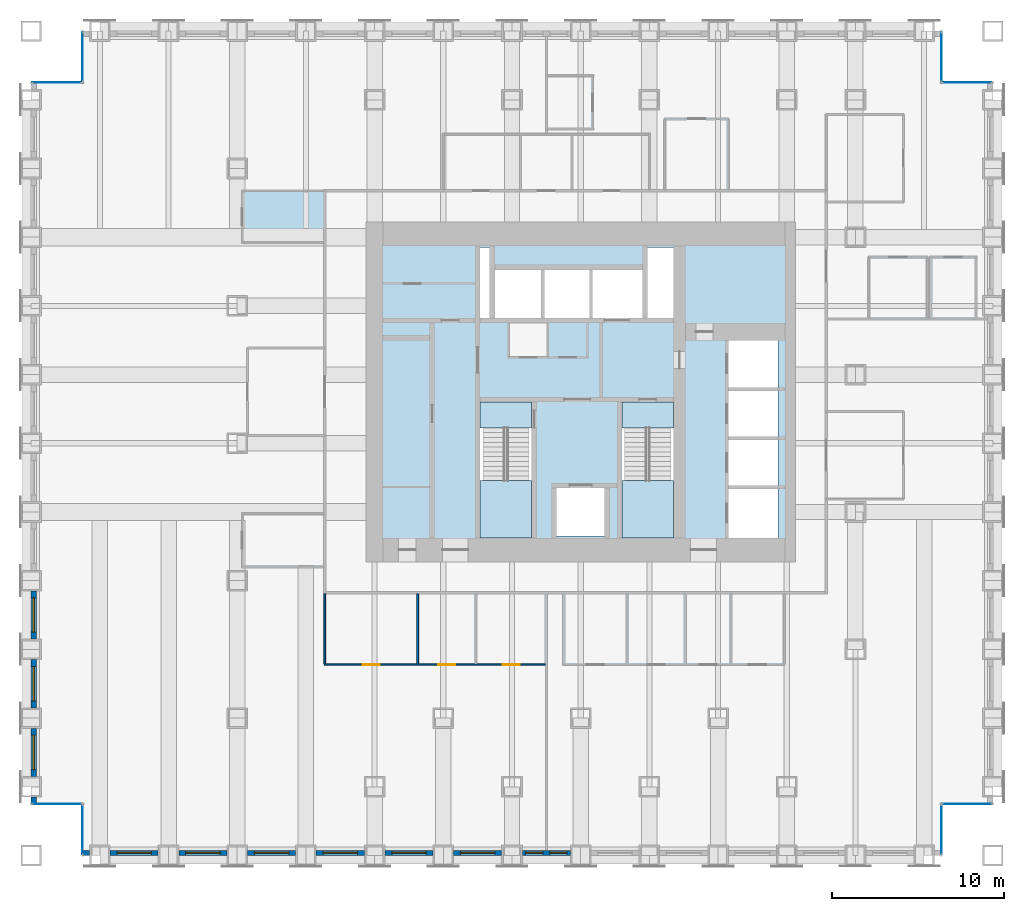
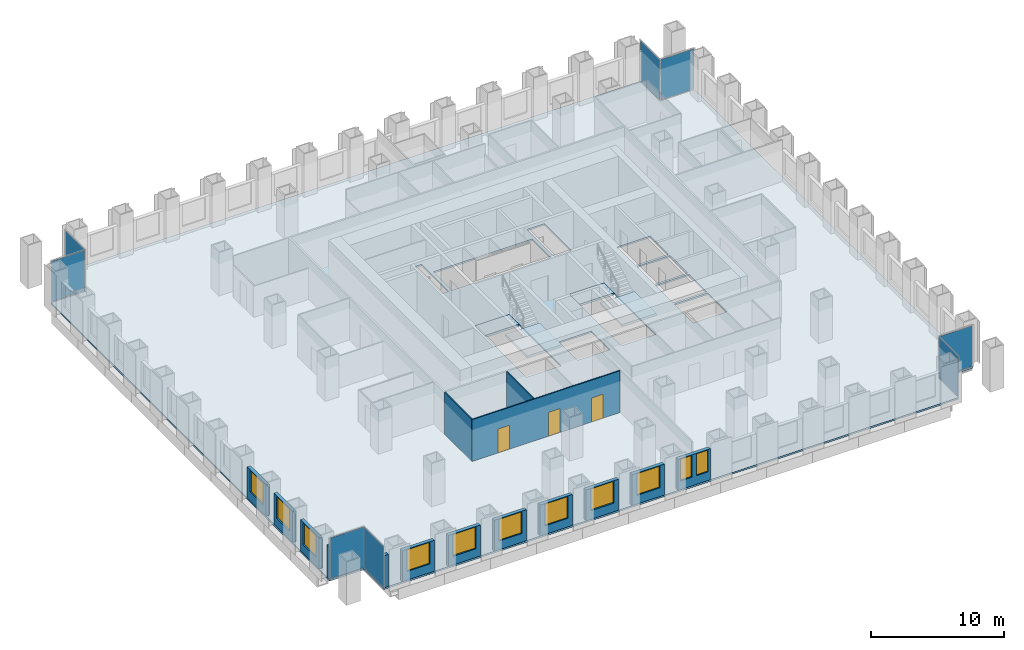
# One storey, part 7 of 14: 15 walls, 11 windows, 8 plates, 5 slabs, 3 doors, 14 openings, 10 elements without a shape of their own.
"""IFC4 building model written with IfcOpenShell, lengths in metres."""

from ifc_helpers import new_model, si_unit, direction, frame, frame_2d, origin, origin_2d, place, context, subcontext, project, spatial, polyline, rectangle, outline, extrude, material, layer, layer_set, type_object, element, fill, aggregate, save


model = new_model("IFC4")

# Units and contexts
model_context = context("Model", 3, precision=1e-05, world=origin(), true_north=direction((0.0, 1.0)))
body_context = subcontext(model_context, "Body", "Model", "MODEL_VIEW")
ifc_project = project(units=[si_unit("LENGTHUNIT", "METRE"), si_unit("AREAUNIT", "SQUARE_METRE"), si_unit("VOLUMEUNIT", "CUBIC_METRE"), si_unit("PLANEANGLEUNIT", "RADIAN"), si_unit("MASSUNIT", "GRAM", prefix="KILO")], contexts=[model_context])

# Site, building, storey
site_placement = place(None, origin())
site = spatial("IfcSite", under=ifc_project, at=site_placement, CompositionType="ELEMENT")
building_placement = place(site_placement, origin())
building = spatial("IfcBuilding", under=site, at=building_placement, Name="Rimbunsela Tower", CompositionType="ELEMENT")
storey_placement = place(building_placement, frame((0.0, 0.0, 51.0)))
storey = spatial("IfcBuildingStorey", under=building, at=storey_placement, Name="L12", CompositionType="ELEMENT", Elevation=51.0)

# Slab
ifc_material_1 = material(Name="Concrete fc' 35 MPa", Category="concrete")
ifc_layer_1 = layer(ifc_material_1, 0.14990234375)
ifc_layer_set_1 = layer_set([ifc_layer_1], Name="Floor slab 150")
slab_type_1 = type_object("IfcSlabType", Name="Floor slab 150", PredefinedType="FLOOR", material=ifc_layer_set_1)
slab_1_placement = place(storey_placement, frame((0.0, 0.0, -0.14990234375)))
element("IfcSlab", 1, at=slab_1_placement, inside=storey, type_object=slab_type_1, Name="Floor slab L12", PredefinedType="FLOOR", context=body_context, shape_type="SweptSolid", body=[
    extrude(outline(polyline([(1.0, 0.0), (51.0, 0.0), (51.0, 3.0), (54.0, 3.0), (54.0, 45.0), (51.0, 45.0), (51.0, 48.0), (1.0, 48.0), (1.0, 45.0), (-2.0, 45.0), (-2.0, 3.0), (1.0, 3.0), (1.0, 0.0)]), holes=[polyline([(27.14990234375, 18.60009765625), (27.14990234375, 26.39990234375), (24.14990234375, 26.39990234375), (24.14990234375, 18.60009765625), (27.14990234375, 18.60009765625)]), polyline([(24.699951171875, 31.300048828125), (24.699951171875, 35.39990234375), (24.14990234375, 35.39990234375), (24.14990234375, 31.300048828125), (24.699951171875, 31.300048828125)]), polyline([(25.0, 34.10009765625), (25.0, 31.300048828125), (33.60009765625, 31.300048828125), (33.60009765625, 34.10009765625), (25.0, 34.10009765625)]), polyline([(31.39990234375, 21.39990234375), (28.60009765625, 21.39990234375), (28.60009765625, 18.60009765625), (31.39990234375, 18.60009765625), (31.39990234375, 21.39990234375)]), polyline([(35.39990234375, 18.60009765625), (35.39990234375, 26.39990234375), (32.39990234375, 26.39990234375), (32.39990234375, 18.60009765625), (35.39990234375, 18.60009765625)]), polyline([(35.39990234375, 31.300048828125), (35.39990234375, 35.39990234375), (33.89990234375, 35.39990234375), (33.89990234375, 31.300048828125), (35.39990234375, 31.300048828125)]), polyline([(41.5, 21.35009765625), (38.60009765625, 21.35009765625), (38.60009765625, 18.5), (41.5, 18.5), (41.5, 21.35009765625)]), polyline([(41.5, 21.550048828125), (41.5, 24.199951171875), (38.60009765625, 24.199951171875), (38.60009765625, 21.550048828125), (41.5, 21.550048828125)]), polyline([(41.5, 27.050048828125), (38.60009765625, 27.050048828125), (38.60009765625, 24.39990234375), (41.5, 24.39990234375), (41.5, 27.050048828125)]), polyline([(41.5, 27.25), (41.5, 30.0), (38.60009765625, 30.0), (38.60009765625, 27.25), (41.5, 27.25)])]), origin(), (0.0, 0.0, 1.0), 0.14990234375),
])

# Curtain wall, plate
ifc_material_2 = material(Name="Aluminium curtain wall", Category="aluminium")
curtain_wall_type = type_object("IfcCurtainWallType", Name="Corner glazing", PredefinedType="USERDEFINED", material=ifc_material_2)
curtain_wall_1_placement = place(storey_placement, origin())
curtain_wall_1 = element("IfcCurtainWall", 2, at=curtain_wall_1_placement, inside=storey, type_object=curtain_wall_type, Name="Corner glazing L12", ObjectType="CORNER GLAZING", PredefinedType="USERDEFINED")
ifc_material_3 = material(Name="Clear double glazing", Category="glass")
ifc_layer_2 = layer(ifc_material_3, 0.028076171875)
ifc_layer_set_2 = layer_set([ifc_layer_2], Name="Glazed panel clear")
plate_type = type_object("IfcPlateType", Name="Glazed panel clear", PredefinedType="CURTAIN_PANEL", material=ifc_layer_set_2)
plate_1_placement = place(storey_placement, frame((51.0, 1.5, 0.06005859375), z_axis=(0.0, 0.0, 1.0), x_axis=(0.0, 1.0, 0.0)))
plate_1 = element("IfcPlate", 3, at=plate_1_placement, type_object=plate_type, Name="CW5 panel 1.1", PredefinedType="CURTAIN_PANEL", context=body_context, shape_type="SweptSolid", body=[
    extrude(rectangle(XDim=2.8798828125, YDim=0.028076171875, at=origin_2d()), origin(), (0.0, 0.0, 1.0), 3.72998046875),
])
aggregate(curtain_wall_1, [plate_1])

curtain_wall_2_placement = place(storey_placement, origin())
curtain_wall_2 = element("IfcCurtainWall", 4, at=curtain_wall_2_placement, inside=storey, type_object=curtain_wall_type, Name="Corner glazing L12", ObjectType="CORNER GLAZING", PredefinedType="USERDEFINED")
plate_2_placement = place(storey_placement, frame((52.5, 3.0, 0.06005859375), z_axis=(0.0, 0.0, 1.0), x_axis=(1.0, 0.0, 0.0)))
plate_2 = element("IfcPlate", 5, at=plate_2_placement, type_object=plate_type, Name="CW5 panel 1.1", PredefinedType="CURTAIN_PANEL", context=body_context, shape_type="SweptSolid", body=[
    extrude(rectangle(XDim=2.8798828125, YDim=0.028076171875, at=origin_2d()), origin(), (0.0, 0.0, 1.0), 3.72998046875),
])
aggregate(curtain_wall_2, [plate_2])

curtain_wall_3_placement = place(storey_placement, origin())
curtain_wall_3 = element("IfcCurtainWall", 6, at=curtain_wall_3_placement, inside=storey, type_object=curtain_wall_type, Name="Corner glazing L12", ObjectType="CORNER GLAZING", PredefinedType="USERDEFINED")
plate_3_placement = place(storey_placement, frame((52.5, 45.0, 0.06005859375), z_axis=(0.0, 0.0, 1.0), x_axis=(-1.0, 0.0, 0.0)))
plate_3 = element("IfcPlate", 7, at=plate_3_placement, type_object=plate_type, Name="CW5 panel 1.1", PredefinedType="CURTAIN_PANEL", context=body_context, shape_type="SweptSolid", body=[
    extrude(rectangle(XDim=2.8798828125, YDim=0.028076171875, at=origin_2d()), origin(), (0.0, 0.0, 1.0), 3.72998046875),
])
aggregate(curtain_wall_3, [plate_3])

curtain_wall_4_placement = place(storey_placement, origin())
curtain_wall_4 = element("IfcCurtainWall", 8, at=curtain_wall_4_placement, inside=storey, type_object=curtain_wall_type, Name="Corner glazing L12", ObjectType="CORNER GLAZING", PredefinedType="USERDEFINED")
plate_4_placement = place(storey_placement, frame((51.0, 46.5, 0.06005859375), z_axis=(0.0, 0.0, 1.0), x_axis=(0.0, 1.0, 0.0)))
plate_4 = element("IfcPlate", 9, at=plate_4_placement, type_object=plate_type, Name="CW5 panel 1.1", PredefinedType="CURTAIN_PANEL", context=body_context, shape_type="SweptSolid", body=[
    extrude(rectangle(XDim=2.8798828125, YDim=0.028076171875, at=origin_2d()), origin(), (0.0, 0.0, 1.0), 3.72998046875),
])
aggregate(curtain_wall_4, [plate_4])

curtain_wall_5_placement = place(storey_placement, origin())
curtain_wall_5 = element("IfcCurtainWall", 10, at=curtain_wall_5_placement, inside=storey, type_object=curtain_wall_type, Name="Corner glazing L12", ObjectType="CORNER GLAZING", PredefinedType="USERDEFINED")
plate_5_placement = place(storey_placement, frame((1.0, 46.5, 0.06005859375), z_axis=(0.0, 0.0, 1.0), x_axis=(0.0, -1.0, 0.0)))
plate_5 = element("IfcPlate", 11, at=plate_5_placement, type_object=plate_type, Name="CW5 panel 1.1", PredefinedType="CURTAIN_PANEL", context=body_context, shape_type="SweptSolid", body=[
    extrude(rectangle(XDim=2.8798828125, YDim=0.028076171875, at=origin_2d()), origin(), (0.0, 0.0, 1.0), 3.72998046875),
])
aggregate(curtain_wall_5, [plate_5])

curtain_wall_6_placement = place(storey_placement, origin())
curtain_wall_6 = element("IfcCurtainWall", 12, at=curtain_wall_6_placement, inside=storey, type_object=curtain_wall_type, Name="Corner glazing L12", ObjectType="CORNER GLAZING", PredefinedType="USERDEFINED")
plate_6_placement = place(storey_placement, frame((-0.5, 45.0, 0.06005859375), z_axis=(0.0, 0.0, 1.0), x_axis=(-1.0, 0.0, 0.0)))
plate_6 = element("IfcPlate", 13, at=plate_6_placement, type_object=plate_type, Name="CW5 panel 1.1", PredefinedType="CURTAIN_PANEL", context=body_context, shape_type="SweptSolid", body=[
    extrude(rectangle(XDim=2.8798828125, YDim=0.028076171875, at=origin_2d()), origin(), (0.0, 0.0, 1.0), 3.72998046875),
])
aggregate(curtain_wall_6, [plate_6])

curtain_wall_7_placement = place(storey_placement, origin())
curtain_wall_7 = element("IfcCurtainWall", 14, at=curtain_wall_7_placement, inside=storey, type_object=curtain_wall_type, Name="Corner glazing L12", ObjectType="CORNER GLAZING", PredefinedType="USERDEFINED")
plate_7_placement = place(storey_placement, frame((-0.5, 3.0, 0.06005859375), z_axis=(0.0, 0.0, 1.0), x_axis=(1.0, 0.0, 0.0)))
plate_7 = element("IfcPlate", 15, at=plate_7_placement, type_object=plate_type, Name="CW5 panel 1.1", PredefinedType="CURTAIN_PANEL", context=body_context, shape_type="SweptSolid", body=[
    extrude(rectangle(XDim=2.8798828125, YDim=0.028076171875, at=origin_2d()), origin(), (0.0, 0.0, 1.0), 3.72998046875),
])
aggregate(curtain_wall_7, [plate_7])

curtain_wall_8_placement = place(storey_placement, origin())
curtain_wall_8 = element("IfcCurtainWall", 16, at=curtain_wall_8_placement, inside=storey, type_object=curtain_wall_type, Name="Corner glazing L12", ObjectType="CORNER GLAZING", PredefinedType="USERDEFINED")
plate_8_placement = place(storey_placement, frame((1.0, 1.5, 0.06005859375), z_axis=(0.0, 0.0, 1.0), x_axis=(0.0, -1.0, 0.0)))
plate_8 = element("IfcPlate", 17, at=plate_8_placement, type_object=plate_type, Name="CW5 panel 1.1", PredefinedType="CURTAIN_PANEL", context=body_context, shape_type="SweptSolid", body=[
    extrude(rectangle(XDim=2.8798828125, YDim=0.028076171875, at=origin_2d()), origin(), (0.0, 0.0, 1.0), 3.72998046875),
])
aggregate(curtain_wall_8, [plate_8])

# Stair, slabs
ifc_material_4 = material(Name="Concrete fc' 35 MPa", Category="concrete")
stair_type = type_object("IfcStairType", Name="Exit stair 24 risers", PredefinedType="HALF_TURN_STAIR", material=ifc_material_4)
stair_1_placement = place(storey_placement, origin())
stair_1 = element("IfcStair", 18, at=stair_1_placement, inside=storey, type_object=stair_type, Name="Exit stair A L12", PredefinedType="HALF_TURN_STAIR")
ifc_material_5 = material(Name="Concrete fc' 35 MPa", Category="concrete")
ifc_layer_3 = layer(ifc_material_5, 0.199951171875)
ifc_layer_set_3 = layer_set([ifc_layer_3], Name="Stair landing 200")
slab_type_2 = type_object("IfcSlabType", Name="Stair landing 200", PredefinedType="LANDING", material=ifc_layer_set_3)
slab_2_placement = place(storey_placement, frame((0.0, 0.0, -0.199951171875)))
slab_2 = element("IfcSlab", 19, at=slab_2_placement, type_object=slab_type_2, Name="ST-A landing 1", PredefinedType="LANDING", context=body_context, shape_type="SweptSolid", body=[
    extrude(outline(polyline([(24.14990234375, 24.89990234375), (27.14990234375, 24.89990234375), (27.14990234375, 26.39990234375), (24.14990234375, 26.39990234375), (24.14990234375, 24.89990234375)])), origin(), (0.0, 0.0, 1.0), 0.199951171875),
])
slab_3_placement = place(storey_placement, frame((0.0, 0.0, 1.800048828125)))
slab_3 = element("IfcSlab", 20, at=slab_3_placement, type_object=slab_type_2, Name="ST-A landing 2", PredefinedType="LANDING", context=body_context, shape_type="SweptSolid", body=[
    extrude(outline(polyline([(24.14990234375, 18.5), (27.14990234375, 18.5), (27.14990234375, 21.820068359375), (24.14990234375, 21.820068359375), (24.14990234375, 18.5)])), origin(), (0.0, 0.0, 1.0), 0.199951171875),
])
aggregate(stair_1, [slab_2, slab_3])

stair_2_placement = place(storey_placement, origin())
stair_2 = element("IfcStair", 21, at=stair_2_placement, inside=storey, type_object=stair_type, Name="Exit stair B L12", PredefinedType="HALF_TURN_STAIR")
slab_4_placement = place(storey_placement, frame((0.0, 0.0, -0.199951171875)))
slab_4 = element("IfcSlab", 22, at=slab_4_placement, type_object=slab_type_2, Name="ST-B landing 1", PredefinedType="LANDING", context=body_context, shape_type="SweptSolid", body=[
    extrude(outline(polyline([(32.39990234375, 24.89990234375), (35.39990234375, 24.89990234375), (35.39990234375, 26.39990234375), (32.39990234375, 26.39990234375), (32.39990234375, 24.89990234375)])), origin(), (0.0, 0.0, 1.0), 0.199951171875),
])
slab_5_placement = place(storey_placement, frame((0.0, 0.0, 1.800048828125)))
slab_5 = element("IfcSlab", 23, at=slab_5_placement, type_object=slab_type_2, Name="ST-B landing 2", PredefinedType="LANDING", context=body_context, shape_type="SweptSolid", body=[
    extrude(outline(polyline([(32.39990234375, 18.5), (35.39990234375, 18.5), (35.39990234375, 21.820068359375), (32.39990234375, 21.820068359375), (32.39990234375, 18.5)])), origin(), (0.0, 0.0, 1.0), 0.199951171875),
])
aggregate(stair_2, [slab_4, slab_5])

# Wall, openings, doors
ifc_material_6 = material(Name="Gypsum board on steel studs", Category="steel")
ifc_layer_4 = layer(ifc_material_6, 0.10009765625)
ifc_layer_set_4 = layer_set([ifc_layer_4], Name="Office partition 100")
wall_type_1 = type_object("IfcWallType", Name="Office partition 100", PredefinedType="PARTITIONING", material=ifc_layer_set_4)
wall_1_placement = place(storey_placement, frame((15.050048828125, 11.10009765625, 0.0), z_axis=(0.0, 0.0, 1.0), x_axis=(1.0, 0.0, 0.0)))
wall_1 = element("IfcWall", 24, at=wall_1_placement, inside=storey, type_object=wall_type_1, Name="Office partition", PredefinedType="PARTITIONING", context=body_context, shape_type="SweptSolid", body=[
    extrude(rectangle(XDim=12.888916015625, YDim=0.10009765625, at=frame_2d((6.4443359375, 0.0))), origin(), (0.0, 0.0, 1.0), 3.85009765625),
])
opening_1_placement = place(wall_1_placement, frame((2.25, 0.0, 0.0)))
opening_1 = element("IfcOpeningElement", 25, at=opening_1_placement, cuts=wall_1, Name="Opening D17", PredefinedType="OPENING", context=body_context, shape_type="SweptSolid", body=[
    extrude(rectangle(XDim=1.0, YDim=2.199951171875, at=frame_2d((0.5, 1.10009765625))), frame((0.0, 0.06005859375, 0.0), z_axis=(0.0, -1.0, 0.0), x_axis=(1.0, 0.0, 0.0)), (0.0, 0.0, 1.0), 0.1201171875),
])
opening_2_placement = place(wall_1_placement, frame((6.64990234375, 0.0, 0.0)))
opening_2 = element("IfcOpeningElement", 26, at=opening_2_placement, cuts=wall_1, Name="Opening D16", PredefinedType="OPENING", context=body_context, shape_type="SweptSolid", body=[
    extrude(rectangle(XDim=1.0, YDim=2.199951171875, at=frame_2d((0.5, 1.10009765625))), frame((0.0, 0.06005859375, 0.0), z_axis=(0.0, -1.0, 0.0), x_axis=(1.0, 0.0, 0.0)), (0.0, 0.0, 1.0), 0.1201171875),
])
opening_3_placement = place(wall_1_placement, frame((10.3994140625, 0.0, 0.0)))
opening_3 = element("IfcOpeningElement", 27, at=opening_3_placement, cuts=wall_1, Name="Opening D16", PredefinedType="OPENING", context=body_context, shape_type="SweptSolid", body=[
    extrude(rectangle(XDim=1.0, YDim=2.199951171875, at=frame_2d((0.5, 1.10009765625))), frame((0.0, 0.06005859375, 0.0), z_axis=(0.0, -1.0, 0.0), x_axis=(1.0, 0.0, 0.0)), (0.0, 0.0, 1.0), 0.1201171875),
])
ifc_material_7 = material(Name="Glazed aluminium door", Category="aluminium")
door_type_1 = type_object("IfcDoorType", Name="Meeting room door 1000 glazed", OperationType="SINGLE_SWING_RIGHT", PredefinedType="DOOR", material=ifc_material_7)
door_1_placement = place(opening_1_placement, origin())
door_1 = element("IfcDoor", 28, at=door_1_placement, inside=storey, type_object=door_type_1, Name="Meeting room door", OperationType="SINGLE_SWING_RIGHT", OverallHeight=2.199951171875, OverallWidth=1.0, PredefinedType="DOOR", context=body_context, shape_type="SweptSolid", body=[
    extrude(rectangle(XDim=1.0, YDim=2.199951171875, at=frame_2d((0.5, 1.10009765625))), frame((0.0, 0.02490234375, 0.0), z_axis=(0.0, -1.0, 0.0), x_axis=(1.0, 0.0, 0.0)), (0.0, 0.0, 1.0), 0.050048828125),
])
fill(opening_1, door_1)
ifc_material_8 = material(Name="Timber door", Category="wood")
door_type_2 = type_object("IfcDoorType", Name="Office door 1000", OperationType="SINGLE_SWING_LEFT", PredefinedType="DOOR", material=ifc_material_8)
door_2_placement = place(opening_2_placement, origin())
door_2 = element("IfcDoor", 29, at=door_2_placement, inside=storey, type_object=door_type_2, Name="Office door", OperationType="SINGLE_SWING_LEFT", OverallHeight=2.199951171875, OverallWidth=1.0, PredefinedType="DOOR", context=body_context, shape_type="SweptSolid", body=[
    extrude(rectangle(XDim=1.0, YDim=2.199951171875, at=frame_2d((0.5, 1.10009765625))), frame((0.0, 0.02490234375, 0.0), z_axis=(0.0, -1.0, 0.0), x_axis=(1.0, 0.0, 0.0)), (0.0, 0.0, 1.0), 0.050048828125),
])
fill(opening_2, door_2)
door_3_placement = place(opening_3_placement, origin())
door_3 = element("IfcDoor", 30, at=door_3_placement, inside=storey, type_object=door_type_2, Name="Office door", OperationType="SINGLE_SWING_LEFT", OverallHeight=2.199951171875, OverallWidth=1.0, PredefinedType="DOOR", context=body_context, shape_type="SweptSolid", body=[
    extrude(rectangle(XDim=1.0, YDim=2.199951171875, at=frame_2d((0.5, 1.10009765625))), frame((0.0, 0.02490234375, 0.0), z_axis=(0.0, -1.0, 0.0), x_axis=(1.0, 0.0, 0.0)), (0.0, 0.0, 1.0), 0.050048828125),
])
fill(opening_3, door_3)

# Walls
for number, where, z_axis, x_axis, name in (
    (31, (15.10009765625, 11.14990234375, 0.0), (0.0, 0.0, 1.0), (0.0, 1.0, 0.0), "Office partition"),
    (32, (20.5, 11.14990234375, 0.0), (0.0, 0.0, 1.0), (0.0, 1.0, 0.0), "Office partition"),
):
    element("IfcWall", number, at=place(storey_placement, frame(where, z_axis=z_axis, x_axis=x_axis)), inside=storey, type_object=wall_type_1, Name=name, PredefinedType="PARTITIONING", context=body_context, shape_type="SweptSolid", body=[
        extrude(rectangle(XDim=4.0751953125, YDim=0.10009765625, at=frame_2d((2.03759765625, 0.0))), origin(), (0.0, 0.0, 1.0), 3.85009765625),
    ])
ifc_material_9 = material(Name="Precast concrete fc' 35 MPa", Category="concrete")
ifc_layer_5 = layer(ifc_material_9, 0.300048828125)
ifc_layer_set_5 = layer_set([ifc_layer_5], Name="Precast concrete fc' 35 MPa")
wall_type_2 = type_object("IfcWallType", Name="Precast facade panel 300", PredefinedType="ELEMENTEDWALL", material=ifc_layer_set_5)
wall_2_placement = place(storey_placement, frame((1.030029296875, 0.14990234375, 0.0), z_axis=(0.0, 0.0, 1.0), x_axis=(1.0, 0.0, 0.0)))
element("IfcWall", 33, at=wall_2_placement, inside=storey, type_object=wall_type_2, Name="Facade panel S L12", PredefinedType="ELEMENTEDWALL", context=body_context, shape_type="SweptSolid", body=[
    extrude(rectangle(XDim=0.369873046875, YDim=0.300048828125, at=frame_2d((0.18505859375, 0.0))), origin(), (0.0, 0.0, 1.0), 2.949951171875),
])

# Wall, opening, window
wall_3_placement = place(storey_placement, frame((2.60009765625, 0.14990234375, 0.0), z_axis=(0.0, 0.0, 1.0), x_axis=(1.0, 0.0, 0.0)))
wall_3 = element("IfcWall", 34, at=wall_3_placement, inside=storey, type_object=wall_type_2, Name="Facade panel S L12", PredefinedType="ELEMENTEDWALL", context=body_context, shape_type="SweptSolid", body=[
    extrude(rectangle(XDim=2.7998046875, YDim=0.300048828125, at=frame_2d((1.39990234375, 0.0))), origin(), (0.0, 0.0, 1.0), 2.85009765625),
])
opening_4_placement = place(wall_3_placement, frame((0.39990234375, 0.0, 0.800048828125)))
opening_4 = element("IfcOpeningElement", 35, at=opening_4_placement, cuts=wall_3, Name="Opening W1", PredefinedType="OPENING", context=body_context, shape_type="SweptSolid", body=[
    extrude(rectangle(XDim=2.0, YDim=2.0, at=frame_2d((1.0, 1.0))), frame((0.0, 0.159912109375, 0.0), z_axis=(0.0, -1.0, 0.0), x_axis=(1.0, 0.0, 0.0)), (0.0, 0.0, 1.0), 0.320068359375),
])
ifc_material_10 = material(Name="Clear glass in aluminium frame", Category="aluminium")
window_type_1 = type_object("IfcWindowType", Name="Window W1 2000x2000", PartitioningType="DOUBLE_PANEL_VERTICAL", PredefinedType="WINDOW", material=ifc_material_10)
window_1_placement = place(opening_4_placement, origin())
window_1 = element("IfcWindow", 36, at=window_1_placement, inside=storey, type_object=window_type_1, Name="Window L12", OverallHeight=2.0, OverallWidth=2.0, PartitioningType="SINGLE_PANEL", PredefinedType="WINDOW", context=body_context, shape_type="SweptSolid", body=[
    extrude(rectangle(XDim=2.0, YDim=2.0, at=frame_2d((1.0, 1.0))), frame((0.0, 0.030029296875, 0.0), z_axis=(0.0, -1.0, 0.0), x_axis=(1.0, 0.0, 0.0)), (0.0, 0.0, 1.0), 0.06005859375),
])
fill(opening_4, window_1)

wall_4_placement = place(storey_placement, frame((6.60009765625, 0.14990234375, 0.0), z_axis=(0.0, 0.0, 1.0), x_axis=(1.0, 0.0, 0.0)))
wall_4 = element("IfcWall", 37, at=wall_4_placement, inside=storey, type_object=wall_type_2, Name="Facade panel S L12", PredefinedType="ELEMENTEDWALL", context=body_context, shape_type="SweptSolid", body=[
    extrude(rectangle(XDim=2.7998046875, YDim=0.300048828125, at=frame_2d((1.39990234375, 0.0))), origin(), (0.0, 0.0, 1.0), 2.85009765625),
])
opening_5_placement = place(wall_4_placement, frame((0.39990234375, 0.0, 0.800048828125)))
opening_5 = element("IfcOpeningElement", 38, at=opening_5_placement, cuts=wall_4, Name="Opening W1", PredefinedType="OPENING", context=body_context, shape_type="SweptSolid", body=[
    extrude(rectangle(XDim=2.0, YDim=2.0, at=frame_2d((1.0, 1.0))), frame((0.0, 0.159912109375, 0.0), z_axis=(0.0, -1.0, 0.0), x_axis=(1.0, 0.0, 0.0)), (0.0, 0.0, 1.0), 0.320068359375),
])
window_2_placement = place(opening_5_placement, origin())
window_2 = element("IfcWindow", 39, at=window_2_placement, inside=storey, type_object=window_type_1, Name="Window L12", OverallHeight=2.0, OverallWidth=2.0, PartitioningType="SINGLE_PANEL", PredefinedType="WINDOW", context=body_context, shape_type="SweptSolid", body=[
    extrude(rectangle(XDim=2.0, YDim=2.0, at=frame_2d((1.0, 1.0))), frame((0.0, 0.030029296875, 0.0), z_axis=(0.0, -1.0, 0.0), x_axis=(1.0, 0.0, 0.0)), (0.0, 0.0, 1.0), 0.06005859375),
])
fill(opening_5, window_2)

wall_5_placement = place(storey_placement, frame((10.60009765625, 0.14990234375, 0.0), z_axis=(0.0, 0.0, 1.0), x_axis=(1.0, 0.0, 0.0)))
wall_5 = element("IfcWall", 40, at=wall_5_placement, inside=storey, type_object=wall_type_2, Name="Facade panel S L12", PredefinedType="ELEMENTEDWALL", context=body_context, shape_type="SweptSolid", body=[
    extrude(rectangle(XDim=2.7998046875, YDim=0.300048828125, at=frame_2d((1.39990234375, 0.0))), origin(), (0.0, 0.0, 1.0), 2.85009765625),
])
opening_6_placement = place(wall_5_placement, frame((0.39990234375, 0.0, 0.800048828125)))
opening_6 = element("IfcOpeningElement", 41, at=opening_6_placement, cuts=wall_5, Name="Opening W1", PredefinedType="OPENING", context=body_context, shape_type="SweptSolid", body=[
    extrude(rectangle(XDim=2.0, YDim=2.0, at=frame_2d((1.0, 1.0))), frame((0.0, 0.159912109375, 0.0), z_axis=(0.0, -1.0, 0.0), x_axis=(1.0, 0.0, 0.0)), (0.0, 0.0, 1.0), 0.320068359375),
])
window_3_placement = place(opening_6_placement, origin())
window_3 = element("IfcWindow", 42, at=window_3_placement, inside=storey, type_object=window_type_1, Name="Window L12", OverallHeight=2.0, OverallWidth=2.0, PartitioningType="SINGLE_PANEL", PredefinedType="WINDOW", context=body_context, shape_type="SweptSolid", body=[
    extrude(rectangle(XDim=2.0, YDim=2.0, at=frame_2d((1.0, 1.0))), frame((0.0, 0.030029296875, 0.0), z_axis=(0.0, -1.0, 0.0), x_axis=(1.0, 0.0, 0.0)), (0.0, 0.0, 1.0), 0.06005859375),
])
fill(opening_6, window_3)

wall_6_placement = place(storey_placement, frame((14.60009765625, 0.14990234375, 0.0), z_axis=(0.0, 0.0, 1.0), x_axis=(1.0, 0.0, 0.0)))
wall_6 = element("IfcWall", 43, at=wall_6_placement, inside=storey, type_object=wall_type_2, Name="Facade panel S L12", PredefinedType="ELEMENTEDWALL", context=body_context, shape_type="SweptSolid", body=[
    extrude(rectangle(XDim=2.7998046875, YDim=0.300048828125, at=frame_2d((1.39990234375, 0.0))), origin(), (0.0, 0.0, 1.0), 2.85009765625),
])
opening_7_placement = place(wall_6_placement, frame((0.39990234375, 0.0, 0.800048828125)))
opening_7 = element("IfcOpeningElement", 44, at=opening_7_placement, cuts=wall_6, Name="Opening W1", PredefinedType="OPENING", context=body_context, shape_type="SweptSolid", body=[
    extrude(rectangle(XDim=2.0, YDim=2.0, at=frame_2d((1.0, 1.0))), frame((0.0, 0.159912109375, 0.0), z_axis=(0.0, -1.0, 0.0), x_axis=(1.0, 0.0, 0.0)), (0.0, 0.0, 1.0), 0.320068359375),
])
window_4_placement = place(opening_7_placement, origin())
window_4 = element("IfcWindow", 45, at=window_4_placement, inside=storey, type_object=window_type_1, Name="Window L12", OverallHeight=2.0, OverallWidth=2.0, PartitioningType="SINGLE_PANEL", PredefinedType="WINDOW", context=body_context, shape_type="SweptSolid", body=[
    extrude(rectangle(XDim=2.0, YDim=2.0, at=frame_2d((1.0, 1.0))), frame((0.0, 0.030029296875, 0.0), z_axis=(0.0, -1.0, 0.0), x_axis=(1.0, 0.0, 0.0)), (0.0, 0.0, 1.0), 0.06005859375),
])
fill(opening_7, window_4)

wall_7_placement = place(storey_placement, frame((18.60009765625, 0.14990234375, 0.0), z_axis=(0.0, 0.0, 1.0), x_axis=(1.0, 0.0, 0.0)))
wall_7 = element("IfcWall", 46, at=wall_7_placement, inside=storey, type_object=wall_type_2, Name="Facade panel S L12", PredefinedType="ELEMENTEDWALL", context=body_context, shape_type="SweptSolid", body=[
    extrude(rectangle(XDim=2.7998046875, YDim=0.300048828125, at=frame_2d((1.39990234375, 0.0))), origin(), (0.0, 0.0, 1.0), 2.85009765625),
])
opening_8_placement = place(wall_7_placement, frame((0.39990234375, 0.0, 0.800048828125)))
opening_8 = element("IfcOpeningElement", 47, at=opening_8_placement, cuts=wall_7, Name="Opening W1", PredefinedType="OPENING", context=body_context, shape_type="SweptSolid", body=[
    extrude(rectangle(XDim=2.0, YDim=2.0, at=frame_2d((1.0, 1.0))), frame((0.0, 0.159912109375, 0.0), z_axis=(0.0, -1.0, 0.0), x_axis=(1.0, 0.0, 0.0)), (0.0, 0.0, 1.0), 0.320068359375),
])
window_5_placement = place(opening_8_placement, origin())
window_5 = element("IfcWindow", 48, at=window_5_placement, inside=storey, type_object=window_type_1, Name="Window L12", OverallHeight=2.0, OverallWidth=2.0, PartitioningType="SINGLE_PANEL", PredefinedType="WINDOW", context=body_context, shape_type="SweptSolid", body=[
    extrude(rectangle(XDim=2.0, YDim=2.0, at=frame_2d((1.0, 1.0))), frame((0.0, 0.030029296875, 0.0), z_axis=(0.0, -1.0, 0.0), x_axis=(1.0, 0.0, 0.0)), (0.0, 0.0, 1.0), 0.06005859375),
])
fill(opening_8, window_5)

wall_8_placement = place(storey_placement, frame((22.60009765625, 0.14990234375, 0.0), z_axis=(0.0, 0.0, 1.0), x_axis=(1.0, 0.0, 0.0)))
wall_8 = element("IfcWall", 49, at=wall_8_placement, inside=storey, type_object=wall_type_2, Name="Facade panel S L12", PredefinedType="ELEMENTEDWALL", context=body_context, shape_type="SweptSolid", body=[
    extrude(rectangle(XDim=2.7998046875, YDim=0.300048828125, at=frame_2d((1.39990234375, 0.0))), origin(), (0.0, 0.0, 1.0), 2.85009765625),
])
opening_9_placement = place(wall_8_placement, frame((0.39990234375, 0.0, 0.800048828125)))
opening_9 = element("IfcOpeningElement", 50, at=opening_9_placement, cuts=wall_8, Name="Opening W1", PredefinedType="OPENING", context=body_context, shape_type="SweptSolid", body=[
    extrude(rectangle(XDim=2.0, YDim=2.0, at=frame_2d((1.0, 1.0))), frame((0.0, 0.159912109375, 0.0), z_axis=(0.0, -1.0, 0.0), x_axis=(1.0, 0.0, 0.0)), (0.0, 0.0, 1.0), 0.320068359375),
])
window_6_placement = place(opening_9_placement, origin())
window_6 = element("IfcWindow", 51, at=window_6_placement, inside=storey, type_object=window_type_1, Name="Window L12", OverallHeight=2.0, OverallWidth=2.0, PartitioningType="SINGLE_PANEL", PredefinedType="WINDOW", context=body_context, shape_type="SweptSolid", body=[
    extrude(rectangle(XDim=2.0, YDim=2.0, at=frame_2d((1.0, 1.0))), frame((0.0, 0.030029296875, 0.0), z_axis=(0.0, -1.0, 0.0), x_axis=(1.0, 0.0, 0.0)), (0.0, 0.0, 1.0), 0.06005859375),
])
fill(opening_9, window_6)

# Wall, openings, windows
wall_9_placement = place(storey_placement, frame((26.60009765625, 0.14990234375, 0.0), z_axis=(0.0, 0.0, 1.0), x_axis=(1.0, 0.0, 0.0)))
wall_9 = element("IfcWall", 52, at=wall_9_placement, inside=storey, type_object=wall_type_2, Name="Facade panel S L12", PredefinedType="ELEMENTEDWALL", context=body_context, shape_type="SweptSolid", body=[
    extrude(rectangle(XDim=2.7998046875, YDim=0.300048828125, at=frame_2d((1.39990234375, 0.0))), origin(), (0.0, 0.0, 1.0), 2.85009765625),
])
opening_10_placement = place(wall_9_placement, frame((0.199951171875, 0.0, 0.800048828125)))
opening_10 = element("IfcOpeningElement", 53, at=opening_10_placement, cuts=wall_9, Name="Opening W5", PredefinedType="OPENING", context=body_context, shape_type="SweptSolid", body=[
    extrude(rectangle(XDim=1.0, YDim=2.0, at=frame_2d((0.5, 1.0))), frame((0.0, 0.159912109375, 0.0), z_axis=(0.0, -1.0, 0.0), x_axis=(1.0, 0.0, 0.0)), (0.0, 0.0, 1.0), 0.320068359375),
])
opening_11_placement = place(wall_9_placement, frame((1.60009765625, 0.0, 0.800048828125)))
opening_11 = element("IfcOpeningElement", 54, at=opening_11_placement, cuts=wall_9, Name="Opening W5", PredefinedType="OPENING", context=body_context, shape_type="SweptSolid", body=[
    extrude(rectangle(XDim=1.0, YDim=2.0, at=frame_2d((0.5, 1.0))), frame((0.0, 0.159912109375, 0.0), z_axis=(0.0, -1.0, 0.0), x_axis=(1.0, 0.0, 0.0)), (0.0, 0.0, 1.0), 0.320068359375),
])
ifc_material_11 = material(Name="Clear glass in aluminium frame", Category="aluminium")
window_type_2 = type_object("IfcWindowType", Name="Window W5 1000x2000", PartitioningType="SINGLE_PANEL", PredefinedType="WINDOW", material=ifc_material_11)
window_7_placement = place(opening_10_placement, origin())
window_7 = element("IfcWindow", 55, at=window_7_placement, inside=storey, type_object=window_type_2, Name="Window L12", OverallHeight=2.0, OverallWidth=1.0, PartitioningType="SINGLE_PANEL", PredefinedType="WINDOW", context=body_context, shape_type="SweptSolid", body=[
    extrude(rectangle(XDim=1.0, YDim=2.0, at=frame_2d((0.5, 1.0))), frame((0.0, 0.030029296875, 0.0), z_axis=(0.0, -1.0, 0.0), x_axis=(1.0, 0.0, 0.0)), (0.0, 0.0, 1.0), 0.06005859375),
])
fill(opening_10, window_7)
window_8_placement = place(opening_11_placement, origin())
window_8 = element("IfcWindow", 56, at=window_8_placement, inside=storey, type_object=window_type_2, Name="Window L12", OverallHeight=2.0, OverallWidth=1.0, PartitioningType="SINGLE_PANEL", PredefinedType="WINDOW", context=body_context, shape_type="SweptSolid", body=[
    extrude(rectangle(XDim=1.0, YDim=2.0, at=frame_2d((0.5, 1.0))), frame((0.0, 0.030029296875, 0.0), z_axis=(0.0, -1.0, 0.0), x_axis=(1.0, 0.0, 0.0)), (0.0, 0.0, 1.0), 0.06005859375),
])
fill(opening_11, window_8)

# Wall
wall_10_placement = place(storey_placement, frame((-1.85009765625, 3.39990234375, 0.0), z_axis=(0.0, 0.0, 1.0), x_axis=(0.0, -1.0, 0.0)))
element("IfcWall", 57, at=wall_10_placement, inside=storey, type_object=wall_type_2, Name="Facade panel W L12", PredefinedType="ELEMENTEDWALL", context=body_context, shape_type="SweptSolid", body=[
    extrude(rectangle(XDim=0.369873046875, YDim=0.300048828125, at=frame_2d((0.18505859375, 0.0))), origin(), (0.0, 0.0, 1.0), 2.949951171875),
])

# Wall, opening, window
wall_11_placement = place(storey_placement, frame((-1.85009765625, 7.39990234375, 0.0), z_axis=(0.0, 0.0, 1.0), x_axis=(0.0, -1.0, 0.0)))
wall_11 = element("IfcWall", 58, at=wall_11_placement, inside=storey, type_object=wall_type_2, Name="Facade panel W L12", PredefinedType="ELEMENTEDWALL", context=body_context, shape_type="SweptSolid", body=[
    extrude(rectangle(XDim=2.7998046875, YDim=0.300048828125, at=frame_2d((1.39990234375, 0.0))), origin(), (0.0, 0.0, 1.0), 2.85009765625),
])
opening_12_placement = place(wall_11_placement, frame((0.39990234375, 0.0, 0.800048828125)))
opening_12 = element("IfcOpeningElement", 59, at=opening_12_placement, cuts=wall_11, Name="Opening W1", PredefinedType="OPENING", context=body_context, shape_type="SweptSolid", body=[
    extrude(rectangle(XDim=2.0, YDim=2.0, at=frame_2d((1.0, 1.0))), frame((0.0, 0.159912109375, 0.0), z_axis=(0.0, -1.0, 0.0), x_axis=(1.0, 0.0, 0.0)), (0.0, 0.0, 1.0), 0.320068359375),
])
window_9_placement = place(opening_12_placement, origin())
window_9 = element("IfcWindow", 60, at=window_9_placement, inside=storey, type_object=window_type_1, Name="Window L12", OverallHeight=2.0, OverallWidth=2.0, PartitioningType="SINGLE_PANEL", PredefinedType="WINDOW", context=body_context, shape_type="SweptSolid", body=[
    extrude(rectangle(XDim=2.0, YDim=2.0, at=frame_2d((1.0, 1.0))), frame((0.0, 0.030029296875, 0.0), z_axis=(0.0, -1.0, 0.0), x_axis=(1.0, 0.0, 0.0)), (0.0, 0.0, 1.0), 0.06005859375),
])
fill(opening_12, window_9)

wall_12_placement = place(storey_placement, frame((-1.85009765625, 11.39990234375, 0.0), z_axis=(0.0, 0.0, 1.0), x_axis=(0.0, -1.0, 0.0)))
wall_12 = element("IfcWall", 61, at=wall_12_placement, inside=storey, type_object=wall_type_2, Name="Facade panel W L12", PredefinedType="ELEMENTEDWALL", context=body_context, shape_type="SweptSolid", body=[
    extrude(rectangle(XDim=2.7998046875, YDim=0.300048828125, at=frame_2d((1.39990234375, 0.0))), origin(), (0.0, 0.0, 1.0), 2.85009765625),
])
opening_13_placement = place(wall_12_placement, frame((0.39990234375, 0.0, 0.800048828125)))
opening_13 = element("IfcOpeningElement", 62, at=opening_13_placement, cuts=wall_12, Name="Opening W1", PredefinedType="OPENING", context=body_context, shape_type="SweptSolid", body=[
    extrude(rectangle(XDim=2.0, YDim=2.0, at=frame_2d((1.0, 1.0))), frame((0.0, 0.159912109375, 0.0), z_axis=(0.0, -1.0, 0.0), x_axis=(1.0, 0.0, 0.0)), (0.0, 0.0, 1.0), 0.320068359375),
])
window_10_placement = place(opening_13_placement, origin())
window_10 = element("IfcWindow", 63, at=window_10_placement, inside=storey, type_object=window_type_1, Name="Window L12", OverallHeight=2.0, OverallWidth=2.0, PartitioningType="SINGLE_PANEL", PredefinedType="WINDOW", context=body_context, shape_type="SweptSolid", body=[
    extrude(rectangle(XDim=2.0, YDim=2.0, at=frame_2d((1.0, 1.0))), frame((0.0, 0.030029296875, 0.0), z_axis=(0.0, -1.0, 0.0), x_axis=(1.0, 0.0, 0.0)), (0.0, 0.0, 1.0), 0.06005859375),
])
fill(opening_13, window_10)

wall_13_placement = place(storey_placement, frame((-1.85009765625, 15.39990234375, 0.0), z_axis=(0.0, 0.0, 1.0), x_axis=(0.0, -1.0, 0.0)))
wall_13 = element("IfcWall", 64, at=wall_13_placement, inside=storey, type_object=wall_type_2, Name="Facade panel W L12", PredefinedType="ELEMENTEDWALL", context=body_context, shape_type="SweptSolid", body=[
    extrude(rectangle(XDim=2.7998046875, YDim=0.300048828125, at=frame_2d((1.39990234375, 0.0))), origin(), (0.0, 0.0, 1.0), 2.85009765625),
])
opening_14_placement = place(wall_13_placement, frame((0.39990234375, 0.0, 0.800048828125)))
opening_14 = element("IfcOpeningElement", 65, at=opening_14_placement, cuts=wall_13, Name="Opening W1", PredefinedType="OPENING", context=body_context, shape_type="SweptSolid", body=[
    extrude(rectangle(XDim=2.0, YDim=2.0, at=frame_2d((1.0, 1.0))), frame((0.0, 0.159912109375, 0.0), z_axis=(0.0, -1.0, 0.0), x_axis=(1.0, 0.0, 0.0)), (0.0, 0.0, 1.0), 0.320068359375),
])
window_11_placement = place(opening_14_placement, origin())
window_11 = element("IfcWindow", 66, at=window_11_placement, inside=storey, type_object=window_type_1, Name="Window L12", OverallHeight=2.0, OverallWidth=2.0, PartitioningType="SINGLE_PANEL", PredefinedType="WINDOW", context=body_context, shape_type="SweptSolid", body=[
    extrude(rectangle(XDim=2.0, YDim=2.0, at=frame_2d((1.0, 1.0))), frame((0.0, 0.030029296875, 0.0), z_axis=(0.0, -1.0, 0.0), x_axis=(1.0, 0.0, 0.0)), (0.0, 0.0, 1.0), 0.06005859375),
])
fill(opening_14, window_11)

save(model, "model.ifc")
